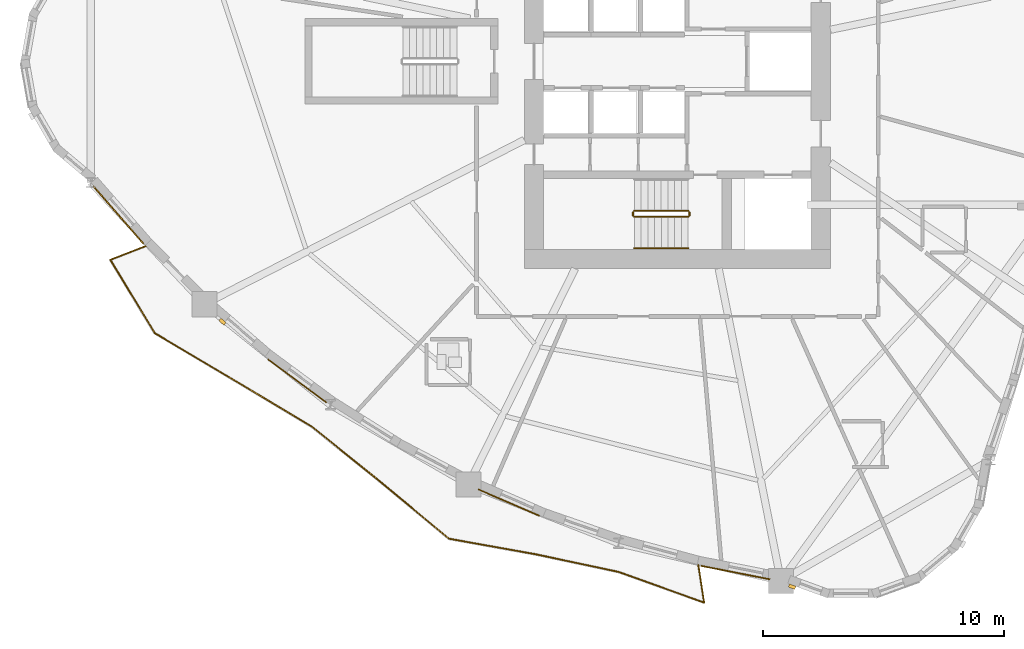
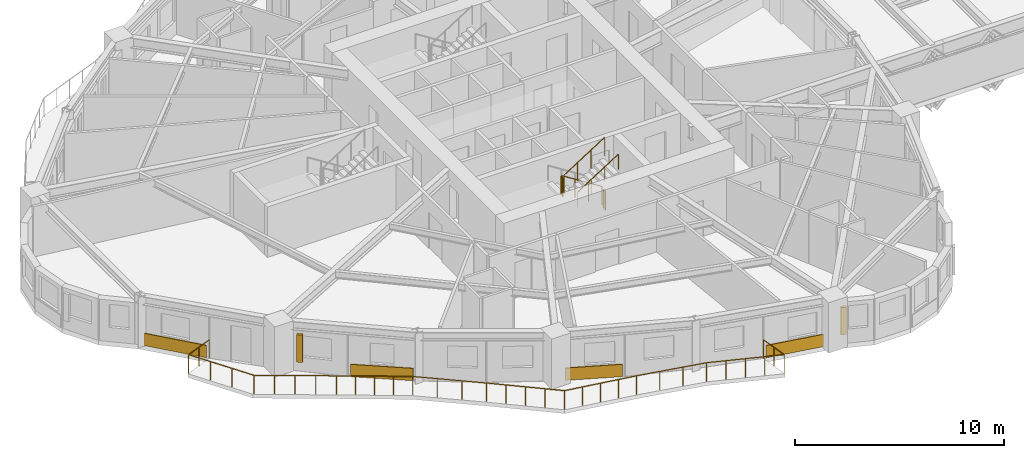
# One storey, part 12 of 16: 6 railings, 4 coverings, 2 shading devices.
"""IFC4 building model written with IfcOpenShell, lengths in metres."""

import ifcopenshell
import ifcopenshell.guid

model = None  # the IFC model being written
_history = None  # IfcOwnerHistory: only IFC2X3 demands one
_inside = {}  # id of a spatial element -> (the spatial element, [elements in it])
_under = {}  # id of a project, library or spatial element -> (it, [spatial elements below it])
_declared = {}  # id of a project -> (the project, [libraries it declares])
_typed = {}  # id of a type object -> (the type object, [elements of that type])
_made_of = {}  # id of a material, layer set ... -> (it, [elements and type objects made of it])


def new_model(schema):
    """Start an empty IFC model of exactly this schema.

    Asked for "IFC4X3", IfcOpenShell would pick the latest addendum, in which some entities
    have other attributes; the version numbers below select the first issue.
    IFC2X3 requires an IfcOwnerHistory on every rooted entity: one is made here for all.
    """
    global model, _history
    if schema == "IFC4X3":
        model = ifcopenshell.file(schema_version=(4, 3, 0, 0))
    else:
        model = ifcopenshell.file(schema=schema)
    _inside.clear()
    _under.clear()
    _declared.clear()
    _typed.clear()
    _made_of.clear()
    _history = None
    if model.schema == "IFC2X3":
        org = make("IfcOrganization", Name="unknown")
        user = make(
            "IfcPersonAndOrganization",
            ThePerson=make("IfcPerson", FamilyName="unknown"),
            TheOrganization=org,
        )
        app = make(
            "IfcApplication",
            ApplicationDeveloper=org,
            Version="unknown",
            ApplicationFullName="unknown",
            ApplicationIdentifier="unknown",
        )
        _history = make(
            "IfcOwnerHistory",
            OwningUser=user,
            OwningApplication=app,
            ChangeAction="ADDED",
            CreationDate=0,
        )
    return model


def make(cls, **values):
    """One entity of the class cls with the attributes given. An attribute that is None is left unset."""
    return model.create_entity(
        cls, **{name: value for name, value in values.items() if value is not None}
    )


def rooted(cls, **values):
    """An entity with a GlobalId (a new one), such as an element, a storey or a relation."""
    return make(cls, GlobalId=ifcopenshell.guid.new(), OwnerHistory=_history, **values)


def si_unit(unit_type, name, prefix=None):
    """IfcSIUnit, for example si_unit("LENGTHUNIT", "METRE", prefix="MILLI")."""
    return make("IfcSIUnit", UnitType=unit_type, Prefix=prefix, Name=name)


def assignment(units):
    """IfcUnitAssignment: the units of a project."""
    return None if units is None else make("IfcUnitAssignment", Units=units)


def point(xyz):
    """IfcCartesianPoint."""
    return None if xyz is None else make("IfcCartesianPoint", Coordinates=xyz)


def direction(xyz):
    """IfcDirection."""
    return None if xyz is None else make("IfcDirection", DirectionRatios=xyz)


def frame(location, z_axis=None, x_axis=None):
    """IfcAxis2Placement3D, a coordinate frame: its origin and axes. An axis left out is left unset."""
    return make(
        "IfcAxis2Placement3D",
        Location=point(location),
        Axis=direction(z_axis),
        RefDirection=direction(x_axis),
    )


def frame_2d(location, x_axis=None):
    """IfcAxis2Placement2D, a coordinate frame in the plane: its origin and x axis."""
    return make(
        "IfcAxis2Placement2D", Location=point(location), RefDirection=direction(x_axis)
    )


def origin():
    """The frame at (0, 0, 0) with its axes left unset."""
    return frame((0.0, 0.0, 0.0))


def origin_2d():
    """The frame at (0, 0) in the plane with its x axis left unset."""
    return frame_2d((0.0, 0.0))


def place(relative_to, where):
    """IfcLocalPlacement: puts the frame where relative to a parent placement (None: the world)."""
    return make(
        "IfcLocalPlacement", PlacementRelTo=relative_to, RelativePlacement=where
    )


def context(
    kind, dimensions, precision=None, world=None, true_north=None, identifier=None
):
    """IfcGeometricRepresentationContext, for example the 3D "Model" context."""
    return make(
        "IfcGeometricRepresentationContext",
        ContextIdentifier=identifier,
        ContextType=kind,
        CoordinateSpaceDimension=dimensions,
        Precision=precision,
        WorldCoordinateSystem=world,
        TrueNorth=true_north,
    )


def subcontext(parent, identifier, kind, view, scale=None):
    """IfcGeometricRepresentationSubContext, for example "Body" below "Model"."""
    return make(
        "IfcGeometricRepresentationSubContext",
        ContextIdentifier=identifier,
        ContextType=kind,
        ParentContext=parent,
        TargetScale=scale,
        TargetView=view,
    )


def project(units=None, contexts=None):
    """IfcProject with its units and contexts."""
    return rooted(
        "IfcProject",
        Name="project",
        RepresentationContexts=contexts,
        UnitsInContext=assignment(units),
    )


def spatial(cls, under=None, at=None, **own):
    """A site, building, storey or space (cls), placed at a placement, below another one or the project."""
    s = rooted(cls, ObjectPlacement=at, **own)
    if under is not None:
        _under.setdefault(under.id(), (under, []))[1].append(s)
    return s


def profile(cls, at=None, kind="AREA", **sizes):
    """A parametric profile (cls). Its sizes go by their IFC names, for example OverallWidth=200.0."""
    return make(cls, ProfileType=kind, Position=at, **sizes)


def rectangle(**sizes):
    """IfcRectangleProfileDef."""
    return profile("IfcRectangleProfileDef", **sizes)


def circle(**sizes):
    """IfcCircleProfileDef."""
    return profile("IfcCircleProfileDef", **sizes)


def extrude(swept, where, along, depth):
    """IfcExtrudedAreaSolid: the profile swept, set in the frame where, extruded along a direction by depth."""
    return make(
        "IfcExtrudedAreaSolid",
        SweptArea=swept,
        Position=where,
        ExtrudedDirection=direction(along),
        Depth=depth,
    )


def shape(context_of_items, identifier, shape_type, items):
    """IfcShapeRepresentation: the items that make up one representation, for example the "Body"."""
    return make(
        "IfcShapeRepresentation",
        ContextOfItems=context_of_items,
        RepresentationIdentifier=identifier,
        RepresentationType=shape_type,
        Items=items,
    )


def source(mapping_origin, context_of_items, identifier, shape_type, items):
    """IfcRepresentationMap: a shape defined once, which mapped items show again and again."""
    return make(
        "IfcRepresentationMap",
        MappingOrigin=mapping_origin,
        MappedRepresentation=shape(context_of_items, identifier, shape_type, items),
    )


def transform(
    local_origin,
    x_axis=None,
    y_axis=None,
    z_axis=None,
    scale=None,
    scale2=None,
    scale3=None,
    uniform=True,
):
    """IfcCartesianTransformationOperator3D, or its non-uniform kind. x_axis, y_axis, z_axis: its Axis1, 2, 3."""
    if uniform:
        return make(
            "IfcCartesianTransformationOperator3D",
            Axis1=direction(x_axis),
            Axis2=direction(y_axis),
            LocalOrigin=point(local_origin),
            Scale=scale,
            Axis3=direction(z_axis),
        )
    return make(
        "IfcCartesianTransformationOperator3DnonUniform",
        Axis1=direction(x_axis),
        Axis2=direction(y_axis),
        LocalOrigin=point(local_origin),
        Scale=scale,
        Axis3=direction(z_axis),
        Scale2=scale2,
        Scale3=scale3,
    )


def mapped(mapping_source, mapping_target):
    """IfcMappedItem: shows the shape of a source again, moved by a transform."""
    return make(
        "IfcMappedItem", MappingSource=mapping_source, MappingTarget=mapping_target
    )


def material(Name=None, Category=None):
    """IfcMaterial."""
    return make("IfcMaterial", Name=Name, Category=Category)


def layer(
    of_material, thickness, ventilated=None, Name=None, Category=None, Priority=None
):
    """IfcMaterialLayer: one layer of a wall or slab, of a material (None: an air gap)."""
    return make(
        "IfcMaterialLayer",
        Material=of_material,
        LayerThickness=thickness,
        IsVentilated=ventilated,
        Name=Name,
        Category=Category,
        Priority=Priority,
    )


def layer_set(layers, Name=None):
    """IfcMaterialLayerSet."""
    return make("IfcMaterialLayerSet", MaterialLayers=layers, LayerSetName=Name)


def made_of(thing, what):
    """Note that an element or type object is made of a material, layer set ...; save() writes the relation."""
    if what is not None:
        _made_of.setdefault(what.id(), (what, []))[1].append(thing)
    return thing


def type_object(cls, material=None, **own):
    """A type object (cls), such as IfcWallType, which elements share."""
    return made_of(rooted(cls, **own), material)


def element(
    cls,
    number,
    at=None,
    inside=None,
    cuts=None,
    type_object=None,
    material=None,
    context=None,
    identifier="Body",
    shape_type=None,
    held_by="IfcProductDefinitionShape",
    body=None,
    shapes=None,
    **own,
):
    """One element of the class cls, such as IfcWall. Its Tag is "e" and its number.

    at: its placement. inside: the storey or other place that contains it. cuts: it is an
    opening in that element (IfcRelVoidsElement). A single representation is given by context,
    identifier, shape_type and body (its items); several are given by shapes. held_by: the class
    of the entity that holds the representations. save() writes the other relations.
    """
    e = rooted(cls, Tag="e%d" % number, ObjectPlacement=at, **own)
    if body is not None:
        shapes = [shape(context, identifier, shape_type, body)]
    if shapes is not None:
        e.Representation = make(held_by, Representations=shapes)
    if inside is not None:
        _inside.setdefault(inside.id(), (inside, []))[1].append(e)
    if cuts is not None:
        rooted(
            "IfcRelVoidsElement", RelatingBuildingElement=cuts, RelatedOpeningElement=e
        )
    if type_object is not None:
        _typed.setdefault(type_object.id(), (type_object, []))[1].append(e)
    return made_of(e, material)


def aggregate(whole, parts):
    """IfcRelAggregates: a whole, such as a stair, and the parts it consists of."""
    return rooted("IfcRelAggregates", RelatingObject=whole, RelatedObjects=parts)


def save(model, path):
    """Write the relations noted so far, then the file.

    IfcRelAggregates (storeys below a building ...), IfcRelContainedInSpatialStructure (elements
    in a storey), IfcRelDefinesByType, IfcRelAssociatesMaterial and IfcRelDeclares: one each for
    every whole, place, type object, material and project.
    """
    for whole, parts in _under.values():
        aggregate(whole, parts)
    for where, things in _inside.values():
        rooted(
            "IfcRelContainedInSpatialStructure",
            RelatedElements=things,
            RelatingStructure=where,
        )
    for kind, things in _typed.values():
        rooted("IfcRelDefinesByType", RelatedObjects=things, RelatingType=kind)
    for what, things in _made_of.values():
        rooted("IfcRelAssociatesMaterial", RelatedObjects=things, RelatingMaterial=what)
    for by, libraries in _declared.values():
        rooted("IfcRelDeclares", RelatingContext=by, RelatedDefinitions=libraries)
    model.write(path)


model = new_model("IFC4")

# Units and contexts
model_context = context("Model", 3, precision=1e-05, world=origin(), true_north=direction((0.0, 1.0)))
body_context = subcontext(model_context, "Body", "Model", "MODEL_VIEW")
ifc_project = project(units=[si_unit("LENGTHUNIT", "METRE"), si_unit("AREAUNIT", "SQUARE_METRE"), si_unit("VOLUMEUNIT", "CUBIC_METRE"), si_unit("PLANEANGLEUNIT", "RADIAN"), si_unit("MASSUNIT", "GRAM", prefix="KILO")], contexts=[model_context])

# Site, building, storey
site_placement = place(None, origin())
site = spatial("IfcSite", under=ifc_project, at=site_placement, CompositionType="ELEMENT")
building_placement = place(site_placement, origin())
building = spatial("IfcBuilding", under=site, at=building_placement, Name="Qafzar Sky-Pleat Residences", CompositionType="ELEMENT")
storey_placement = place(building_placement, frame((0.0, 0.0, 30.199951171875)))
storey = spatial("IfcBuildingStorey", under=building, at=storey_placement, Name="L08", CompositionType="ELEMENT", Elevation=30.199951171875)

# Shading devices
ifc_material_1 = material(Name="Honed Riyadh limestone solar fin", Category="masonry")
ifc_layer_1 = layer(ifc_material_1, 0.139892578125)
ifc_layer_set_1 = layer_set([ifc_layer_1], Name="Honed Riyadh limestone solar fin")
shading_device_type = type_object("IfcShadingDeviceType", Name="SHD-FIN-STONE", PredefinedType="SHUTTER", material=ifc_layer_set_1)
shared_shape_1 = source(origin(), body_context, "Body", "SweptSolid", [
    extrude(rectangle(XDim=0.139892578125, YDim=0.280029296875, at=origin_2d()), origin(), (0.0, 0.0, 1.0), 1.60009765625),
])
for number, where, z_axis, x_axis, name in (
    (1, (11.478515625, 15.2001953125, 0.60009765625), (0.0, 0.0, 1.0), (-0.652861447294, -0.757477346616, 0.0), "L08 Limestone Solar Fin 9"),
    (2, (35.10791015625, 4.20703125, 0.60009765625), (0.0, 0.0, 1.0), (-0.342010122116, -0.939696268148, 0.0), "L08 Limestone Solar Fin 17"),
):
    element("IfcShadingDevice", number, at=place(storey_placement, frame(where, z_axis=z_axis, x_axis=x_axis)), inside=storey, type_object=shading_device_type, Name=name, PredefinedType="SHUTTER", context=body_context, shape_type="MappedRepresentation", body=[
        mapped(shared_shape_1, transform((0.0, 0.0, 0.0), x_axis=(1.0, 0.0, 0.0), y_axis=(0.0, 1.0, 0.0), z_axis=(0.0, 0.0, 1.0), scale=1.0)),
    ])

# Coverings
ifc_material_2 = material(Name="Honed Riyadh Tuwaiq limestone cladding", Category="masonry")
ifc_layer_2 = layer(ifc_material_2, 0.044921875)
ifc_layer_set_2 = layer_set([ifc_layer_2], Name="Honed Riyadh Tuwaiq limestone cladding")
covering_type = type_object("IfcCoveringType", Name="COV-CLAD-STONE", PredefinedType="CLADDING", material=ifc_layer_set_2)
shared_shape_2 = source(origin(), body_context, "Body", "SweptSolid", [
    extrude(rectangle(XDim=2.75927734375, YDim=0.044921875, at=origin_2d()), origin(), (0.0, 0.0, 1.0), 0.719970703125),
])
covering_1_placement = place(storey_placement, frame((23.35546875, 7.695068359375, 0.02001953125), z_axis=(0.0, 0.0, 1.0), x_axis=(0.917079389831, -0.398704643499, 0.0)))
element("IfcCovering", 3, at=covering_1_placement, inside=storey, type_object=covering_type, Name="L08 Riyadh Limestone Spandrel Cladding 13", PredefinedType="CLADDING", context=body_context, shape_type="MappedRepresentation", body=[
    mapped(shared_shape_2, transform((0.0, 0.0, 0.0), x_axis=(1.0, 0.0, 0.0), y_axis=(0.0, 1.0, 0.0), z_axis=(0.0, 0.0, 1.0), scale=1.0)),
])
shared_shape_3 = source(origin(), body_context, "Body", "SweptSolid", [
    extrude(rectangle(XDim=3.01123046875, YDim=0.044921875, at=origin_2d()), origin(), (0.0, 0.0, 1.0), 0.719970703125),
])
covering_2_placement = place(storey_placement, frame((14.582275390625, 12.741943359375, 0.02001953125), z_axis=(0.0, 0.0, 1.0), x_axis=(0.803807027233, -0.594890126805, 0.0)))
element("IfcCovering", 4, at=covering_2_placement, inside=storey, type_object=covering_type, Name="L08 Riyadh Limestone Spandrel Cladding 10", PredefinedType="CLADDING", context=body_context, shape_type="MappedRepresentation", body=[
    mapped(shared_shape_3, transform((0.0, 0.0, 0.0), x_axis=(1.0, 0.0, 0.0), y_axis=(0.0, 1.0, 0.0), z_axis=(0.0, 0.0, 1.0), scale=1.0)),
])

# Railing
ifc_material_3 = material(Name="Laminated glass and bronze steel balustrade", Category="steel")
railing_type_1 = type_object("IfcRailingType", Name="RAIL-BAL-1100", PredefinedType="BALUSTRADE", material=ifc_material_3)
shared_shape_4 = source(origin(), body_context, "Body", "SweptSolid", [
    extrude(circle(Radius=0.02392578125, at=origin_2d()), frame((0.0, 0.0, 1.076171875), z_axis=(-0.932039510577, -0.362356662313, 0.0), x_axis=(0.362356662313, -0.932039510577, 0.0)), (0.0, 0.0, 1.0), 1.577880859375),
    extrude(circle(Radius=0.02392578125, at=origin_2d()), frame((-1.470703125, -0.57177734375, 1.076171875), z_axis=(0.517682355808, -0.855572894899, 0.0), x_axis=(0.855572894899, 0.517682355808, 0.0)), (0.0, 0.0, 1.0), 3.556396484375),
    extrude(circle(Radius=0.02392578125, at=origin_2d()), frame((0.370361328125, -3.614501953125, 1.076171875), z_axis=(0.860201022615, -0.50995509674, 0.0), x_axis=(0.50995509674, 0.860201022615, 0.0)), (0.0, 0.0, 1.0), 3.94384765625),
    extrude(circle(Radius=0.02392578125, at=origin_2d()), frame((3.762939453125, -5.625732421875, 1.076171875), z_axis=(0.858254409428, -0.513224481779, 0.0), x_axis=(0.513224481779, 0.858254409428, 0.0)), (0.0, 0.0, 1.0), 3.644775390625),
    extrude(circle(Radius=0.02392578125, at=origin_2d()), frame((6.89111328125, -7.496337890625, 1.076171875), z_axis=(0.779347428891, -0.626592040391, 0.0), x_axis=(0.626592040391, 0.779347428891, 0.0)), (0.0, 0.0, 1.0), 3.559326171875),
    extrude(circle(Radius=0.02392578125, at=origin_2d()), frame((9.6650390625, -9.7265625, 1.076171875), z_axis=(0.769557646334, -0.638577347679, 0.0), x_axis=(0.638577347679, 0.769557646334, 0.0)), (0.0, 0.0, 1.0), 3.783935546875),
    extrude(circle(Radius=0.02392578125, at=origin_2d()), frame((12.576904296875, -12.142822265625, 1.076171875), z_axis=(0.984256284045, -0.176747184753, 0.0), x_axis=(0.176747184753, 0.984256284045, 0.0)), (0.0, 0.0, 1.0), 3.64794921875),
    extrude(circle(Radius=0.02392578125, at=origin_2d()), frame((16.16748046875, -12.78759765625, 1.076171875), z_axis=(0.978117941282, -0.208051178662, 0.0), x_axis=(0.208051178662, 0.978117941282, 0.0)), (0.0, 0.0, 1.0), 3.5205078125),
    extrude(circle(Radius=0.02392578125, at=origin_2d()), frame((19.61083984375, -13.52001953125, 1.076171875), z_axis=(0.941329704876, -0.337488350493, 0.0), x_axis=(0.337488350493, 0.941329704876, 0.0)), (0.0, 0.0, 1.0), 3.771728515625),
    extrude(circle(Radius=0.02392578125, at=origin_2d()), frame((23.161376953125, -14.79296875, 1.076171875), z_axis=(-0.152243201733, 0.988343061657, 0.0), x_axis=(-0.988343061657, -0.152243201733, 0.0)), (0.0, 0.0, 1.0), 1.577880859375),
    extrude(circle(Radius=0.02099609375, at=origin_2d()), origin(), (0.0, 0.0, 1.0), 1.052001953125),
    extrude(circle(Radius=0.02099609375, at=origin_2d()), frame((-0.7353515625, -0.285888671875, 0.0)), (0.0, 0.0, 1.0), 1.052001953125),
    extrude(circle(Radius=0.02099609375, at=origin_2d()), frame((-1.470703125, -0.57177734375, 0.0)), (0.0, 0.0, 1.0), 1.052001953125),
    extrude(circle(Radius=0.02099609375, at=origin_2d()), frame((-0.85693359375, -1.5859375, 0.0)), (0.0, 0.0, 1.0), 1.052001953125),
    extrude(circle(Radius=0.02099609375, at=origin_2d()), frame((-0.243408203125, -2.600341796875, 0.0)), (0.0, 0.0, 1.0), 1.052001953125),
    extrude(circle(Radius=0.02099609375, at=origin_2d()), frame((0.370361328125, -3.614501953125, 0.0)), (0.0, 0.0, 1.0), 1.052001953125),
    extrude(circle(Radius=0.02099609375, at=origin_2d()), frame((1.218505859375, -4.1171875, 0.0)), (0.0, 0.0, 1.0), 1.052001953125),
    extrude(circle(Radius=0.02099609375, at=origin_2d()), frame((2.066650390625, -4.6201171875, 0.0)), (0.0, 0.0, 1.0), 1.052001953125),
    extrude(circle(Radius=0.02099609375, at=origin_2d()), frame((2.914794921875, -5.123046875, 0.0)), (0.0, 0.0, 1.0), 1.052001953125),
    extrude(circle(Radius=0.02099609375, at=origin_2d()), frame((3.762939453125, -5.625732421875, 0.0)), (0.0, 0.0, 1.0), 1.052001953125),
    extrude(circle(Radius=0.02099609375, at=origin_2d()), frame((4.544921875, -6.09326171875, 0.0)), (0.0, 0.0, 1.0), 1.052001953125),
    extrude(circle(Radius=0.02099609375, at=origin_2d()), frame((5.3271484375, -6.56103515625, 0.0)), (0.0, 0.0, 1.0), 1.052001953125),
    extrude(circle(Radius=0.02099609375, at=origin_2d()), frame((6.109130859375, -7.02880859375, 0.0)), (0.0, 0.0, 1.0), 1.052001953125),
    extrude(circle(Radius=0.02099609375, at=origin_2d()), frame((6.89111328125, -7.496337890625, 0.0)), (0.0, 0.0, 1.0), 1.052001953125),
    extrude(circle(Radius=0.02099609375, at=origin_2d()), frame((7.815673828125, -8.23974609375, 0.0)), (0.0, 0.0, 1.0), 1.052001953125),
    extrude(circle(Radius=0.02099609375, at=origin_2d()), frame((8.740478515625, -8.983154296875, 0.0)), (0.0, 0.0, 1.0), 1.052001953125),
    extrude(circle(Radius=0.02099609375, at=origin_2d()), frame((9.6650390625, -9.7265625, 0.0)), (0.0, 0.0, 1.0), 1.052001953125),
    extrude(circle(Radius=0.02099609375, at=origin_2d()), frame((10.39306640625, -10.33056640625, 0.0)), (0.0, 0.0, 1.0), 1.052001953125),
    extrude(circle(Radius=0.02099609375, at=origin_2d()), frame((11.12109375, -10.9345703125, 0.0)), (0.0, 0.0, 1.0), 1.052001953125),
    extrude(circle(Radius=0.02099609375, at=origin_2d()), frame((11.848876953125, -11.538818359375, 0.0)), (0.0, 0.0, 1.0), 1.052001953125),
    extrude(circle(Radius=0.02099609375, at=origin_2d()), frame((12.576904296875, -12.142822265625, 0.0)), (0.0, 0.0, 1.0), 1.052001953125),
    extrude(circle(Radius=0.02099609375, at=origin_2d()), frame((13.474609375, -12.303955078125, 0.0)), (0.0, 0.0, 1.0), 1.052001953125),
    extrude(circle(Radius=0.02099609375, at=origin_2d()), frame((14.3720703125, -12.46533203125, 0.0)), (0.0, 0.0, 1.0), 1.052001953125),
    extrude(circle(Radius=0.02099609375, at=origin_2d()), frame((15.269775390625, -12.62646484375, 0.0)), (0.0, 0.0, 1.0), 1.052001953125),
    extrude(circle(Radius=0.02099609375, at=origin_2d()), frame((16.16748046875, -12.78759765625, 0.0)), (0.0, 0.0, 1.0), 1.052001953125),
    extrude(circle(Radius=0.02099609375, at=origin_2d()), frame((17.315185546875, -13.03173828125, 0.0)), (0.0, 0.0, 1.0), 1.052001953125),
    extrude(circle(Radius=0.02099609375, at=origin_2d()), frame((18.463134765625, -13.27587890625, 0.0)), (0.0, 0.0, 1.0), 1.052001953125),
    extrude(circle(Radius=0.02099609375, at=origin_2d()), frame((19.61083984375, -13.52001953125, 0.0)), (0.0, 0.0, 1.0), 1.052001953125),
    extrude(circle(Radius=0.02099609375, at=origin_2d()), frame((20.49853515625, -13.83837890625, 0.0)), (0.0, 0.0, 1.0), 1.052001953125),
    extrude(circle(Radius=0.02099609375, at=origin_2d()), frame((21.38623046875, -14.156494140625, 0.0)), (0.0, 0.0, 1.0), 1.052001953125),
    extrude(circle(Radius=0.02099609375, at=origin_2d()), frame((22.273681640625, -14.474609375, 0.0)), (0.0, 0.0, 1.0), 1.052001953125),
    extrude(circle(Radius=0.02099609375, at=origin_2d()), frame((23.161376953125, -14.79296875, 0.0)), (0.0, 0.0, 1.0), 1.052001953125),
    extrude(circle(Radius=0.02099609375, at=origin_2d()), frame((23.041259765625, -14.01318359375, 0.0)), (0.0, 0.0, 1.0), 1.052001953125),
    extrude(circle(Radius=0.02099609375, at=origin_2d()), frame((22.921142578125, -13.2333984375, 0.0)), (0.0, 0.0, 1.0), 1.052001953125),
])
railing_1_placement = place(storey_placement, frame((8.296875, 18.340087890625, 0.0)))
element("IfcRailing", 5, at=railing_1_placement, inside=storey, type_object=railing_type_1, Name="L08 Pleated Balcony 2 Balustrade", PredefinedType="BALUSTRADE", context=body_context, shape_type="MappedRepresentation", body=[
    mapped(shared_shape_4, transform((0.0, 0.0, 0.0), x_axis=(1.0, 0.0, 0.0), y_axis=(0.0, 1.0, 0.0), z_axis=(0.0, 0.0, 1.0), scale=1.0)),
])

# Coverings
shared_shape_5 = source(origin(), body_context, "Body", "SweptSolid", [
    extrude(rectangle(XDim=3.161376953125, YDim=0.044921875, at=origin_2d()), origin(), (0.0, 0.0, 1.0), 0.719970703125),
])
covering_3_placement = place(storey_placement, frame((7.16162109375, 19.62451171875, 0.02001953125), z_axis=(0.0, 0.0, 1.0), x_axis=(0.657627387278, -0.75334336096, 0.0)))
element("IfcCovering", 6, at=covering_3_placement, inside=storey, type_object=covering_type, Name="L08 Riyadh Limestone Spandrel Cladding 7", PredefinedType="CLADDING", context=body_context, shape_type="MappedRepresentation", body=[
    mapped(shared_shape_5, transform((0.0, 0.0, 0.0), x_axis=(1.0, 0.0, 0.0), y_axis=(0.0, 1.0, 0.0), z_axis=(0.0, 0.0, 1.0), scale=1.0)),
])
shared_shape_6 = source(origin(), body_context, "Body", "SweptSolid", [
    extrude(rectangle(XDim=2.9091796875, YDim=0.044921875, at=origin_2d()), origin(), (0.0, 0.0, 1.0), 0.719970703125),
])
covering_4_placement = place(storey_placement, frame((32.760498046875, 4.79248046875, 0.02001953125), z_axis=(0.0, 0.0, 1.0), x_axis=(0.981227291247, -0.19285487526, 0.0)))
element("IfcCovering", 7, at=covering_4_placement, inside=storey, type_object=covering_type, Name="L08 Riyadh Limestone Spandrel Cladding 16", PredefinedType="CLADDING", context=body_context, shape_type="MappedRepresentation", body=[
    mapped(shared_shape_6, transform((0.0, 0.0, 0.0), x_axis=(1.0, 0.0, 0.0), y_axis=(0.0, 1.0, 0.0), z_axis=(0.0, 0.0, 1.0), scale=1.0)),
])

# Railings
ifc_material_4 = material(Name="Painted Steel S355 stair guardrail", Category="steel")
railing_type_2 = type_object("IfcRailingType", Name="RAIL-STAIR-GUARD", PredefinedType="GUARDRAIL", material=ifc_material_4)
shared_shape_7 = source(origin(), body_context, "Body", "SweptSolid", [
    extrude(circle(Radius=0.02392578125, at=origin_2d()), frame((0.0, 0.0, 1.076171875), z_axis=(0.0, -1.0, 0.0), x_axis=(1.0, 0.0, 0.0)), (0.0, 0.0, 1.0), 0.14990234375),
    extrude(circle(Radius=0.02099609375, at=origin_2d()), origin(), (0.0, 0.0, 1.0), 1.052001953125),
    extrude(circle(Radius=0.02099609375, at=origin_2d()), frame((0.0, -0.14990234375, 0.0)), (0.0, 0.0, 1.0), 1.052001953125),
])
for number, where, name in (
    (8, (28.510009765625, 19.75, 1.60009765625), "L08 ST1 stair guard 2"),
    (9, (30.85009765625, 19.75, 0.0), "L08 ST1 stair guard 4"),
):
    element("IfcRailing", number, at=place(storey_placement, frame(where)), inside=storey, type_object=railing_type_2, Name=name, PredefinedType="GUARDRAIL", context=body_context, shape_type="MappedRepresentation", body=[
        mapped(shared_shape_7, transform((0.0, 0.0, 0.0), x_axis=(1.0, 0.0, 0.0), y_axis=(0.0, 1.0, 0.0), z_axis=(0.0, 0.0, 1.0), scale=1.0)),
    ])
shared_shape_8 = source(origin(), body_context, "Body", "SweptSolid", [
    extrude(circle(Radius=0.02392578125, at=origin_2d()), frame((0.0, 0.0, 1.076171875), z_axis=(0.8442293374, 0.0, 0.53598211339), x_axis=(0.0, 1.0, 0.0)), (0.0, 0.0, 1.0), 2.6533203125),
    extrude(circle(Radius=0.02099609375, at=origin_2d()), origin(), (0.0, 0.0, 1.0), 1.052001953125),
    extrude(circle(Radius=0.02099609375, at=origin_2d()), frame((0.74658203125, 0.0, 0.47412109375)), (0.0, 0.0, 1.0), 1.052001953125),
    extrude(circle(Radius=0.02099609375, at=origin_2d()), frame((1.493408203125, 0.0, 0.947998046875)), (0.0, 0.0, 1.0), 1.052001953125),
    extrude(circle(Radius=0.02099609375, at=origin_2d()), frame((2.239990234375, 0.0, 1.422119140625)), (0.0, 0.0, 1.0), 1.052001953125),
])
railing_2_placement = place(storey_placement, frame((28.56005859375, 19.550048828125, 1.77783203125)))
element("IfcRailing", 10, at=railing_2_placement, inside=storey, type_object=railing_type_2, Name="L08 ST1 stair guard 3", PredefinedType="GUARDRAIL", context=body_context, shape_type="MappedRepresentation", body=[
    mapped(shared_shape_8, transform((0.0, 0.0, 0.0), x_axis=(1.0, 0.0, 0.0), y_axis=(0.0, 1.0, 0.0), z_axis=(0.0, 0.0, 1.0), scale=1.0)),
])
ifc_material_5 = material(Name="Brushed stainless steel handrail", Category="steel")
railing_type_3 = type_object("IfcRailingType", Name="RAIL-STAIR-HAND", PredefinedType="HANDRAIL", material=ifc_material_5)
shared_shape_9 = source(origin(), body_context, "Body", "SweptSolid", [
    extrude(circle(Radius=0.02392578125, at=origin_2d()), frame((0.0, 0.0, 0.8759765625), z_axis=(0.8442293374, 0.0, 0.53598211339), x_axis=(0.0, 1.0, 0.0)), (0.0, 0.0, 1.0), 2.6533203125),
    extrude(circle(Radius=0.02099609375, at=origin_2d()), origin(), (0.0, 0.0, 1.0), 0.851806640625),
    extrude(circle(Radius=0.02099609375, at=origin_2d()), frame((0.74658203125, 0.0, 0.47412109375)), (0.0, 0.0, 1.0), 0.851806640625),
    extrude(circle(Radius=0.02099609375, at=origin_2d()), frame((1.493408203125, 0.0, 0.947998046875)), (0.0, 0.0, 1.0), 0.851806640625),
    extrude(circle(Radius=0.02099609375, at=origin_2d()), frame((2.239990234375, 0.0, 1.422119140625)), (0.0, 0.0, 1.0), 0.851806640625),
])
railing_3_placement = place(storey_placement, frame((28.56005859375, 18.25, 1.77783203125)))
element("IfcRailing", 11, at=railing_3_placement, inside=storey, type_object=railing_type_3, Name="L08 ST1 stair handrail 2", PredefinedType="HANDRAIL", context=body_context, shape_type="MappedRepresentation", body=[
    mapped(shared_shape_9, transform((0.0, 0.0, 0.0), x_axis=(1.0, 0.0, 0.0), y_axis=(0.0, 1.0, 0.0), z_axis=(0.0, 0.0, 1.0), scale=1.0)),
])
shared_shape_10 = source(origin(), body_context, "Body", "SweptSolid", [
    extrude(circle(Radius=0.02392578125, at=origin_2d()), frame((0.0, 0.0, 1.076171875), z_axis=(-0.84418770128, 0.0, 0.536047689118), x_axis=(0.0, -1.0, 0.0)), (0.0, 0.0, 1.0), 2.6533203125),
    extrude(circle(Radius=0.02099609375, at=origin_2d()), origin(), (0.0, 0.0, 1.0), 1.052001953125),
    extrude(circle(Radius=0.02099609375, at=origin_2d()), frame((-0.74658203125, 0.0, 0.47412109375)), (0.0, 0.0, 1.0), 1.052001953125),
    extrude(circle(Radius=0.02099609375, at=origin_2d()), frame((-1.493408203125, 0.0, 0.9482421875)), (0.0, 0.0, 1.0), 1.052001953125),
    extrude(circle(Radius=0.02099609375, at=origin_2d()), frame((-2.239990234375, 0.0, 1.42236328125)), (0.0, 0.0, 1.0), 1.052001953125),
])
railing_4_placement = place(storey_placement, frame((30.800048828125, 19.800048828125, 0.177734375)))
element("IfcRailing", 12, at=railing_4_placement, inside=storey, type_object=railing_type_2, Name="L08 ST1 stair guard 1", PredefinedType="GUARDRAIL", context=body_context, shape_type="MappedRepresentation", body=[
    mapped(shared_shape_10, transform((0.0, 0.0, 0.0), x_axis=(1.0, 0.0, 0.0), y_axis=(0.0, 1.0, 0.0), z_axis=(0.0, 0.0, 1.0), scale=1.0)),
])

save(model, "model.ifc")
